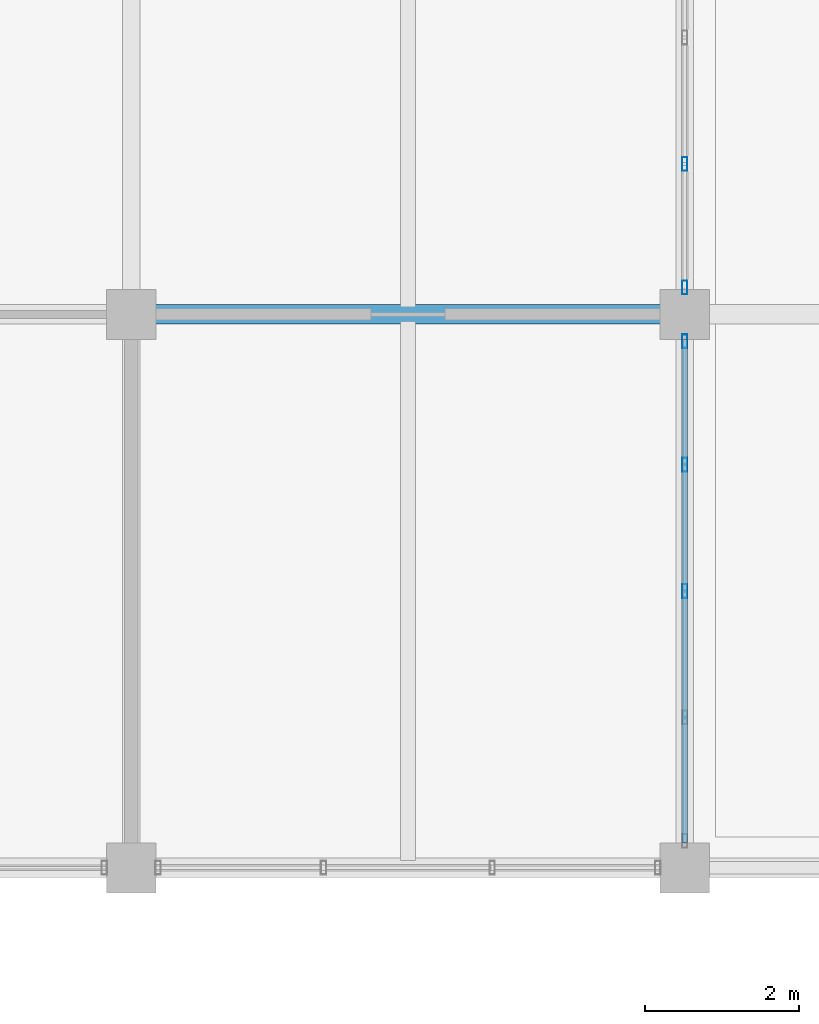
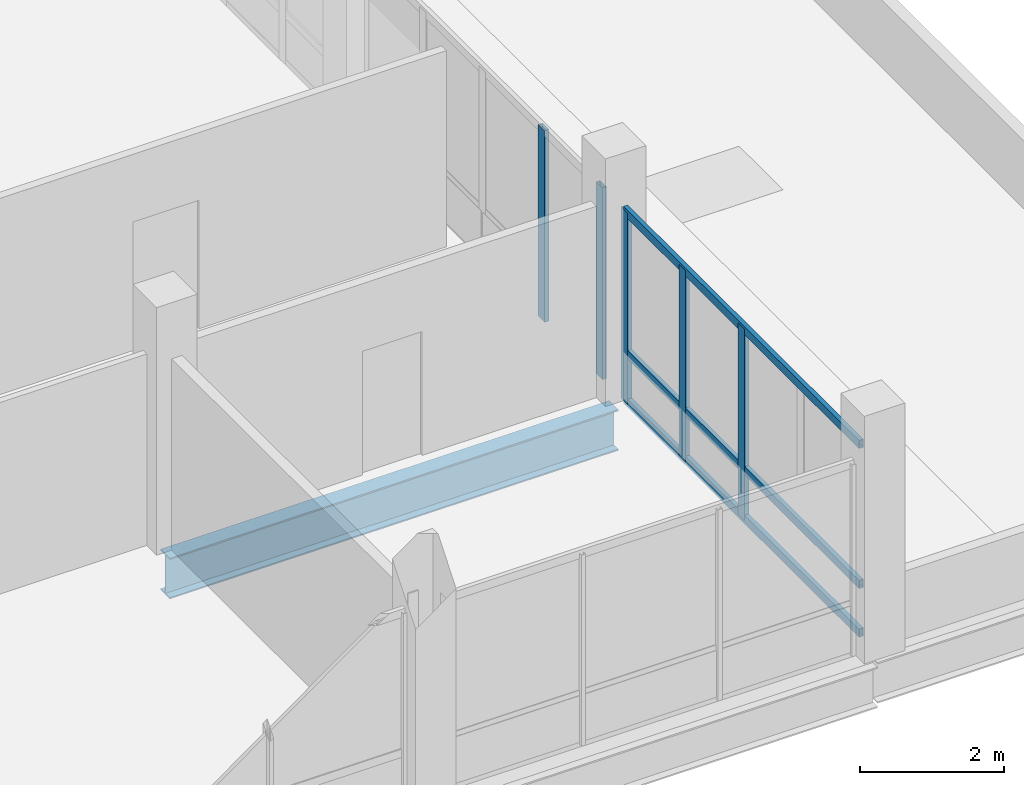
# One storey, part 62 of 102: 8 members, 1 beam, 2 elements without a shape of their own.
"""IFC4 building model written with IfcOpenShell, lengths in metres."""

from ifc_helpers import new_model, si_unit, direction, frame, origin, origin_2d, place, context, subcontext, project, spatial, hollow_rectangle, i_section, extrude, material, material_profile, profile_set, type_object, element, aggregate, save


model = new_model("IFC4")

# Units and contexts
model_context = context("Model", 3, precision=1e-05, world=origin(), true_north=direction((0.0, 1.0)))
body_context = subcontext(model_context, "Body", "Model", "MODEL_VIEW")
ifc_project = project(units=[si_unit("LENGTHUNIT", "METRE"), si_unit("AREAUNIT", "SQUARE_METRE"), si_unit("VOLUMEUNIT", "CUBIC_METRE"), si_unit("PLANEANGLEUNIT", "RADIAN"), si_unit("MASSUNIT", "GRAM", prefix="KILO")], contexts=[model_context])

# Site, building, storey
site_placement = place(None, origin())
site = spatial("IfcSite", under=ifc_project, at=site_placement, CompositionType="ELEMENT")
building_placement = place(site_placement, origin())
building = spatial("IfcBuilding", under=site, at=building_placement, Name="Yarey Park Central Fire Station", CompositionType="ELEMENT")
storey_placement = place(building_placement, frame((0.0, 0.0, 6.0)))
storey = spatial("IfcBuildingStorey", under=building, at=storey_placement, Name="L02", CompositionType="ELEMENT", Elevation=6.0)

# Curtain wall, members
ifc_material_1 = material(Name="Anodized Aluminium Frame", Category="aluminium")
curtain_wall_type = type_object("IfcCurtainWallType", Name="ENV_CW_HQ_L02", PredefinedType="NOTDEFINED", material=ifc_material_1)
curtain_wall_1_placement = place(storey_placement, origin())
curtain_wall_1 = element("IfcCurtainWall", 1, at=curtain_wall_1_placement, inside=storey, type_object=curtain_wall_type, Name="CW_L02_V4_E_93", PredefinedType="NOTDEFINED")
ifc_material_profile_1 = material_profile(ifc_material_1, hollow_rectangle(XDim=0.070068359375, YDim=0.179931640625, WallThickness=0.00390625, at=origin_2d()), Name="ALU 180x70x4")
ifc_profile_set_1 = profile_set([ifc_material_profile_1], Name="Anodized Aluminium Frame")
member_type_1 = type_object("IfcMemberType", Name="ENV_CW_MULLION", PredefinedType="MULLION", material=ifc_profile_set_1)
member_1_placement = place(storey_placement, frame((158.39990234375, 97.199951171875, 0.0), z_axis=(0.0, 0.0, 1.0), x_axis=(1.0, 0.0, 0.0)))
member_1 = element("IfcMember", 2, at=member_1_placement, type_object=member_type_1, Name="CW_L02_V4_E_93_MUL3", PredefinedType="MULLION", context=body_context, shape_type="SweptSolid", body=[
    extrude(hollow_rectangle(XDim=0.070068359375, YDim=0.179931640625, WallThickness=0.00390625, at=origin_2d()), origin(), (0.0, 0.0, 1.0), 3.25),
])
member_2_placement = place(storey_placement, frame((158.39990234375, 98.844970703125, 0.0), z_axis=(0.0, 0.0, 1.0), x_axis=(1.0, 0.0, 0.0)))
member_2 = element("IfcMember", 3, at=member_2_placement, type_object=member_type_1, Name="CW_L02_V4_E_93_MUL4", PredefinedType="MULLION", context=body_context, shape_type="SweptSolid", body=[
    extrude(hollow_rectangle(XDim=0.070068359375, YDim=0.179931640625, WallThickness=0.00390625, at=origin_2d()), origin(), (0.0, 0.0, 1.0), 3.25),
])
member_3_placement = place(storey_placement, frame((158.39990234375, 100.449951171875, 0.0), z_axis=(0.0, 0.0, 1.0), x_axis=(1.0, 0.0, 0.0)))
member_3 = element("IfcMember", 4, at=member_3_placement, type_object=member_type_1, Name="CW_L02_V4_E_93_MUL5", PredefinedType="MULLION", context=body_context, shape_type="SweptSolid", body=[
    extrude(hollow_rectangle(XDim=0.070068359375, YDim=0.179931640625, WallThickness=0.00390625, at=origin_2d()), origin(), (0.0, 0.0, 1.0), 3.25),
])

curtain_wall_2_placement = place(storey_placement, origin())
curtain_wall_2 = element("IfcCurtainWall", 5, at=curtain_wall_2_placement, inside=storey, type_object=curtain_wall_type, Name="CW_L02_V4_E_100", PredefinedType="NOTDEFINED")
member_4_placement = place(storey_placement, frame((158.39990234375, 101.14990234375, 0.0), z_axis=(0.0, 0.0, 1.0), x_axis=(1.0, 0.0, 0.0)))
member_4 = element("IfcMember", 6, at=member_4_placement, type_object=member_type_1, Name="CW_L02_V4_E_100_MUL1", PredefinedType="MULLION", context=body_context, shape_type="SweptSolid", body=[
    extrude(hollow_rectangle(XDim=0.070068359375, YDim=0.179931640625, WallThickness=0.00390625, at=origin_2d()), origin(), (0.0, 0.0, 1.0), 3.25),
])
member_5_placement = place(storey_placement, frame((158.39990234375, 102.7548828125, 0.0), z_axis=(0.0, 0.0, 1.0), x_axis=(1.0, 0.0, 0.0)))
member_5 = element("IfcMember", 7, at=member_5_placement, type_object=member_type_1, Name="CW_L02_V4_E_100_MUL2", PredefinedType="MULLION", context=body_context, shape_type="SweptSolid", body=[
    extrude(hollow_rectangle(XDim=0.070068359375, YDim=0.179931640625, WallThickness=0.00390625, at=origin_2d()), origin(), (0.0, 0.0, 1.0), 3.25),
])
aggregate(curtain_wall_2, [member_4, member_5])

# Member
ifc_material_profile_2 = material_profile(ifc_material_1, hollow_rectangle(XDim=0.070068359375, YDim=0.139892578125, WallThickness=0.00390625, at=origin_2d()), Name="ALU 140x70x4")
ifc_profile_set_2 = profile_set([ifc_material_profile_2], Name="Anodized Aluminium Frame")
member_type_2 = type_object("IfcMemberType", Name="ENV_CW_TRANSOM", PredefinedType="USERDEFINED", material=ifc_profile_set_2)
member_6_placement = place(storey_placement, frame((158.39990234375, 93.925048828125, 0.02490234375), z_axis=(0.0, 1.0, 0.0), x_axis=(-1.0, 0.0, 0.0)))
member_6 = element("IfcMember", 8, at=member_6_placement, type_object=member_type_2, Name="CW_L02_V4_E_93_TRN1", ObjectType="TRANSOM", PredefinedType="USERDEFINED", context=body_context, shape_type="SweptSolid", body=[
    extrude(hollow_rectangle(XDim=0.070068359375, YDim=0.139892578125, WallThickness=0.00390625, at=origin_2d()), origin(), (0.0, 0.0, 1.0), 6.550048828125),
])

member_7_placement = place(storey_placement, frame((158.39990234375, 93.925048828125, 0.85009765625), z_axis=(0.0, 1.0, 0.0), x_axis=(-1.0, 0.0, 0.0)))
member_7 = element("IfcMember", 9, at=member_7_placement, type_object=member_type_2, Name="CW_L02_V4_E_93_TRN2", ObjectType="TRANSOM", PredefinedType="USERDEFINED", context=body_context, shape_type="SweptSolid", body=[
    extrude(hollow_rectangle(XDim=0.070068359375, YDim=0.139892578125, WallThickness=0.00390625, at=origin_2d()), origin(), (0.0, 0.0, 1.0), 6.550048828125),
])

member_8_placement = place(storey_placement, frame((158.39990234375, 93.925048828125, 3.22509765625), z_axis=(0.0, 1.0, 0.0), x_axis=(-1.0, 0.0, 0.0)))
member_8 = element("IfcMember", 10, at=member_8_placement, type_object=member_type_2, Name="CW_L02_V4_E_93_TRN3", ObjectType="TRANSOM", PredefinedType="USERDEFINED", context=body_context, shape_type="SweptSolid", body=[
    extrude(hollow_rectangle(XDim=0.070068359375, YDim=0.139892578125, WallThickness=0.00390625, at=origin_2d()), origin(), (0.0, 0.0, 1.0), 6.550048828125),
])

aggregate(curtain_wall_1, [member_1, member_2, member_3, member_6, member_7, member_8])

# Beam
ifc_material_2 = material(Name="Steel ASTM A992 Gr. 50", Category="steel")
ifc_material_profile_3 = material_profile(ifc_material_2, i_section(OverallWidth=0.256103515625, OverallDepth=0.693115234375, WebThickness=0.014404296875, FlangeThickness=0.023681640625, at=origin_2d()), Name="W690x170")
ifc_profile_set_3 = profile_set([ifc_material_profile_3], Name="Steel ASTM A992 Gr. 50")
beam_type = type_object("IfcBeamType", Name="STR_BM_W690", PredefinedType="BEAM", material=ifc_profile_set_3)
beam_placement = place(storey_placement, frame((151.199951171875, 100.800048828125, -0.631591796875), z_axis=(1.0, 0.0, 0.0), x_axis=(0.0, 1.0, 0.0)))
element("IfcBeam", 11, at=beam_placement, inside=storey, type_object=beam_type, Name="BMX L02 Y1008 X1512", PredefinedType="BEAM", context=body_context, shape_type="SweptSolid", body=[
    extrude(i_section(OverallWidth=0.256103515625, OverallDepth=0.693115234375, WebThickness=0.014404296875, FlangeThickness=0.023681640625, at=origin_2d()), origin(), (0.0, 0.0, 1.0), 7.199951171875),
])

save(model, "model.ifc")
